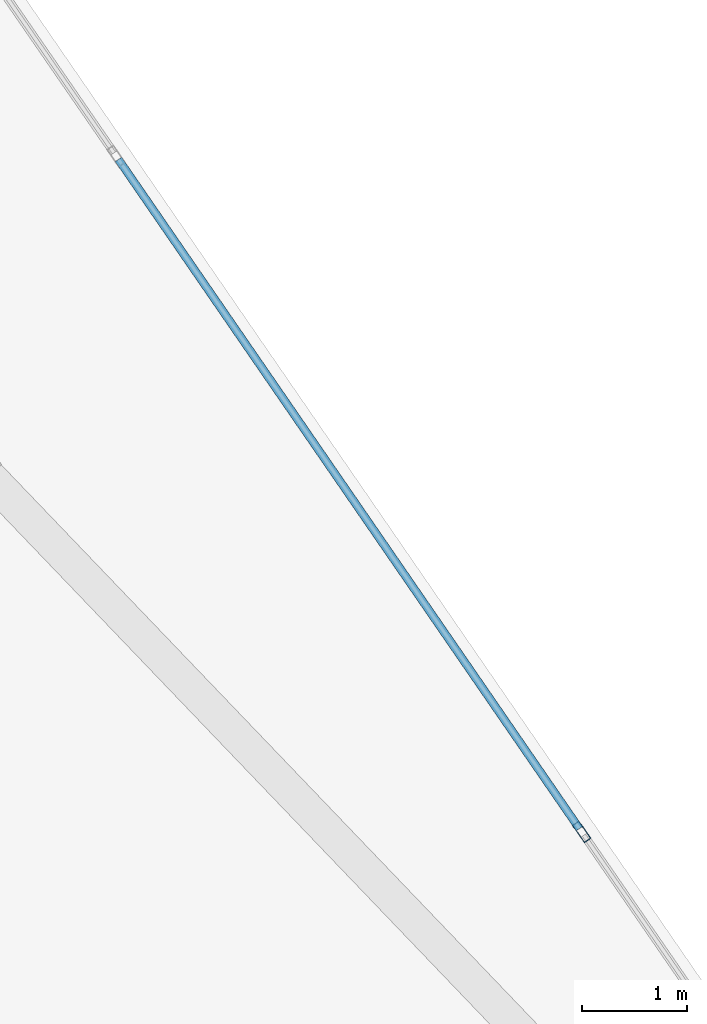
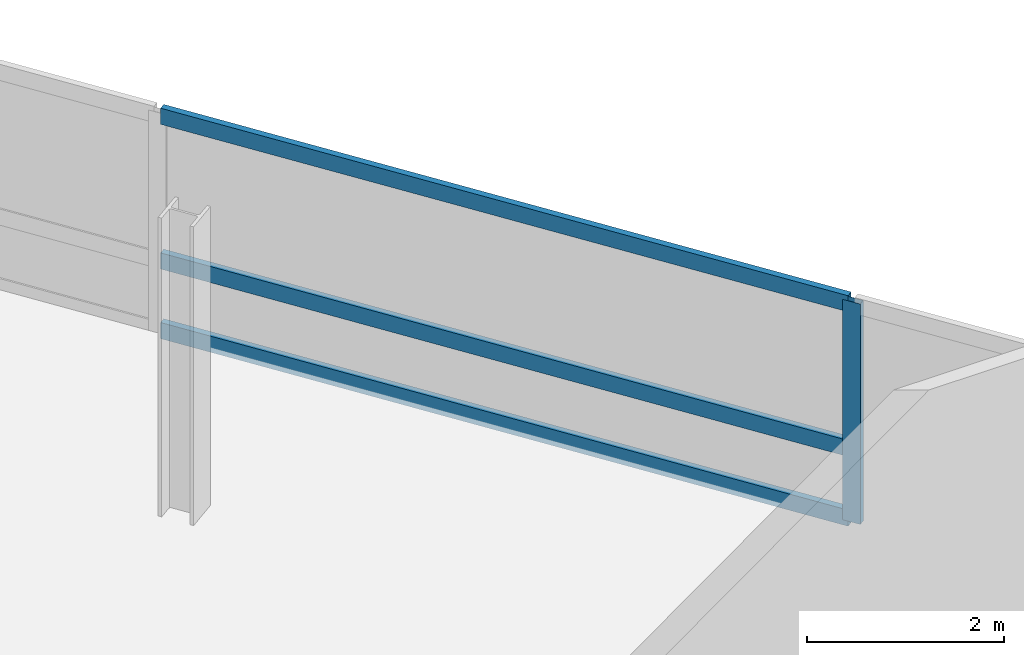
# One storey, part 8 of 21: 4 members, 1 element without a shape of its own.
"""IFC4 building model written with IfcOpenShell, lengths in metres."""

from ifc_helpers import new_model, si_unit, direction, frame, origin, origin_2d, place, context, subcontext, project, spatial, hollow_rectangle, extrude, material, layer, layer_set, material_profile, profile_set, type_object, element, aggregate, save


model = new_model("IFC4")

# Units and contexts
model_context = context("Model", 3, precision=1e-05, world=origin(), true_north=direction((0.0, 1.0)))
body_context = subcontext(model_context, "Body", "Model", "MODEL_VIEW")
ifc_project = project(units=[si_unit("LENGTHUNIT", "METRE"), si_unit("AREAUNIT", "SQUARE_METRE"), si_unit("VOLUMEUNIT", "CUBIC_METRE"), si_unit("PLANEANGLEUNIT", "RADIAN"), si_unit("MASSUNIT", "GRAM", prefix="KILO")], contexts=[model_context])

# Site, building, storey
site_placement = place(None, origin())
site = spatial("IfcSite", under=ifc_project, at=site_placement, CompositionType="ELEMENT")
building_placement = place(site_placement, origin())
building = spatial("IfcBuilding", under=site, at=building_placement, Name="Varnelok Gate Tower", CompositionType="ELEMENT")
storey_placement = place(building_placement, frame((0.0, 0.0, 265.60009765625)))
storey = spatial("IfcBuildingStorey", under=building, at=storey_placement, Name="L68", CompositionType="ELEMENT", Elevation=265.60009765625)

# Curtain wall, members
ifc_material = material(Name="Anodized Aluminum Alloy 6063-T6", Category="aluminium")
ifc_layer = layer(ifc_material, 0.179931640625)
ifc_layer_set = layer_set([ifc_layer], Name="Anodized Aluminum Alloy 6063-T6")
curtain_wall_type = type_object("IfcCurtainWallType", Name="CW4-RESIDENCE-VISION", PredefinedType="USERDEFINED", material=ifc_layer_set)
curtain_wall_placement = place(storey_placement, origin())
curtain_wall = element("IfcCurtainWall", 1, at=curtain_wall_placement, inside=storey, type_object=curtain_wall_type, Name="L68 East End Vision Curtain Wall", ObjectType="UNITISED CURTAIN WALL", PredefinedType="USERDEFINED")
ifc_material_profile_1 = material_profile(ifc_material, hollow_rectangle(XDim=0.074951171875, YDim=0.199951171875, WallThickness=0.00390625, at=origin_2d()), Name="ALU200X75X4")
ifc_profile_set_1 = profile_set([ifc_material_profile_1], Name="Anodized Aluminum Alloy 6063-T6")
member_type_1 = type_object("IfcMemberType", Name="CW-MULL-200", PredefinedType="MULLION", material=ifc_profile_set_1)
member_1_placement = place(storey_placement, frame((66.343505859375, 43.997314453125, 0.0), z_axis=(0.0, 0.0, 1.0), x_axis=(0.823532290241, 0.567269395376, 0.0)))
member_1 = element("IfcMember", 2, at=member_1_placement, type_object=member_type_1, Name="CW4 mullion 3", PredefinedType="MULLION", context=body_context, shape_type="SweptSolid", body=[
    extrude(hollow_rectangle(XDim=0.074951171875, YDim=0.199951171875, WallThickness=0.00390625, at=origin_2d()), origin(), (0.0, 0.0, 1.0), 2.72998046875),
])
ifc_material_profile_2 = material_profile(ifc_material, hollow_rectangle(XDim=0.074951171875, YDim=0.199951171875, WallThickness=0.00390625, at=origin_2d()), Name="ALU200X75X4")
ifc_profile_set_2 = profile_set([ifc_material_profile_2], Name="Anodized Aluminum Alloy 6063-T6")
member_type_2 = type_object("IfcMemberType", Name="CW-TRAN-200", PredefinedType="USERDEFINED", material=ifc_profile_set_2)
member_2_placement = place(storey_placement, frame((61.940185546875, 50.389892578125, 0.037353515625), z_axis=(0.567260941086, -0.823538113701, 0.0), x_axis=(0.823538113701, 0.567260941086, 0.0)))
member_2 = element("IfcMember", 3, at=member_2_placement, type_object=member_type_2, Name="CW4 transom 2.1", ObjectType="TRANSOM", PredefinedType="USERDEFINED", context=body_context, shape_type="SweptSolid", body=[
    extrude(hollow_rectangle(XDim=0.074951171875, YDim=0.199951171875, WallThickness=0.00390625, at=origin_2d()), origin(), (0.0, 0.0, 1.0), 7.72509765625),
])
member_3_placement = place(storey_placement, frame((61.940185546875, 50.389892578125, 0.89990234375), z_axis=(0.567260941086, -0.823538113701, 0.0), x_axis=(0.823538113701, 0.567260941086, 0.0)))
member_3 = element("IfcMember", 4, at=member_3_placement, type_object=member_type_2, Name="CW4 transom 2.2", ObjectType="TRANSOM", PredefinedType="USERDEFINED", context=body_context, shape_type="SweptSolid", body=[
    extrude(hollow_rectangle(XDim=0.074951171875, YDim=0.199951171875, WallThickness=0.00390625, at=origin_2d()), origin(), (0.0, 0.0, 1.0), 7.72509765625),
])
member_4_placement = place(storey_placement, frame((61.940185546875, 50.389892578125, 2.6923828125), z_axis=(0.567260941086, -0.823538113701, 0.0), x_axis=(0.823538113701, 0.567260941086, 0.0)))
member_4 = element("IfcMember", 5, at=member_4_placement, type_object=member_type_2, Name="CW4 transom 2.3", ObjectType="TRANSOM", PredefinedType="USERDEFINED", context=body_context, shape_type="SweptSolid", body=[
    extrude(hollow_rectangle(XDim=0.074951171875, YDim=0.199951171875, WallThickness=0.00390625, at=origin_2d()), origin(), (0.0, 0.0, 1.0), 7.72509765625),
])
aggregate(curtain_wall, [member_1, member_2, member_3, member_4])

save(model, "model.ifc")
